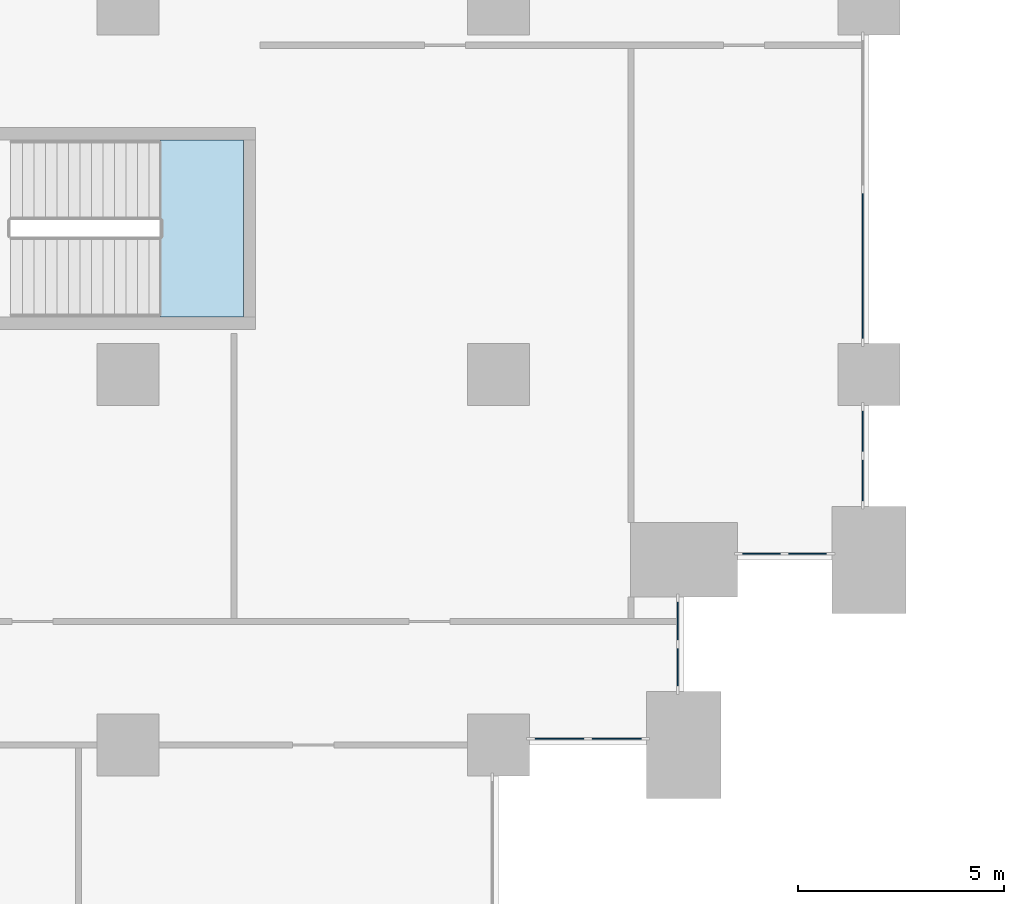
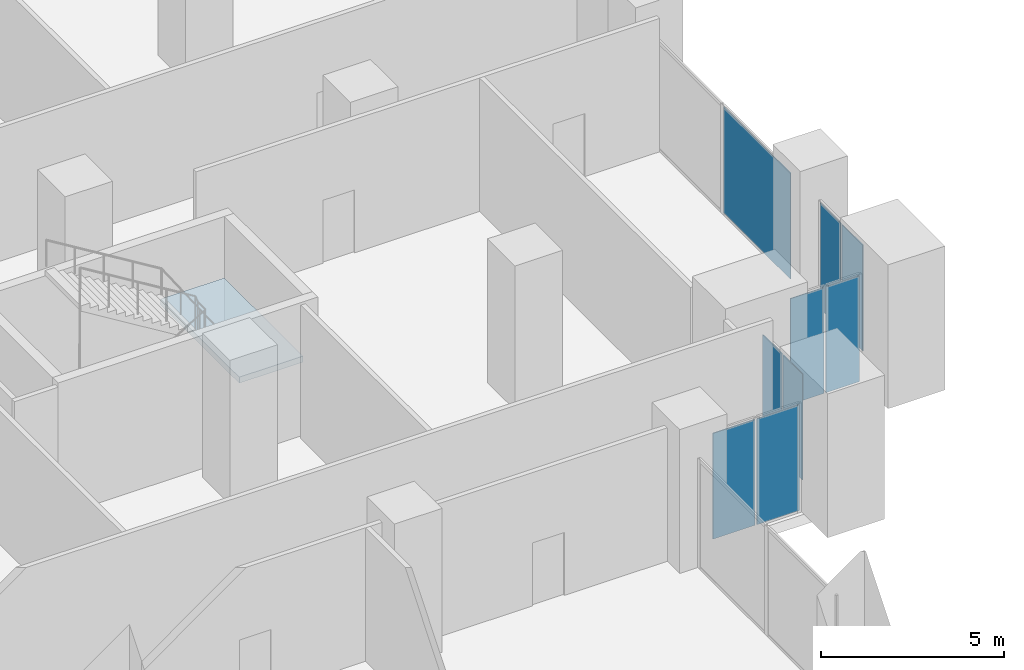
# One storey, part 20 of 49: 9 plates, 1 slab, 6 elements without a shape of their own.
"""IFC4 building model written with IfcOpenShell, lengths in metres."""

import ifcopenshell
import ifcopenshell.guid

model = None  # the IFC model being written
_history = None  # IfcOwnerHistory: only IFC2X3 demands one
_inside = {}  # id of a spatial element -> (the spatial element, [elements in it])
_under = {}  # id of a project, library or spatial element -> (it, [spatial elements below it])
_declared = {}  # id of a project -> (the project, [libraries it declares])
_typed = {}  # id of a type object -> (the type object, [elements of that type])
_made_of = {}  # id of a material, layer set ... -> (it, [elements and type objects made of it])


def new_model(schema):
    """Start an empty IFC model of exactly this schema.

    Asked for "IFC4X3", IfcOpenShell would pick the latest addendum, in which some entities
    have other attributes; the version numbers below select the first issue.
    IFC2X3 requires an IfcOwnerHistory on every rooted entity: one is made here for all.
    """
    global model, _history
    if schema == "IFC4X3":
        model = ifcopenshell.file(schema_version=(4, 3, 0, 0))
    else:
        model = ifcopenshell.file(schema=schema)
    _inside.clear()
    _under.clear()
    _declared.clear()
    _typed.clear()
    _made_of.clear()
    _history = None
    if model.schema == "IFC2X3":
        org = make("IfcOrganization", Name="unknown")
        user = make(
            "IfcPersonAndOrganization",
            ThePerson=make("IfcPerson", FamilyName="unknown"),
            TheOrganization=org,
        )
        app = make(
            "IfcApplication",
            ApplicationDeveloper=org,
            Version="unknown",
            ApplicationFullName="unknown",
            ApplicationIdentifier="unknown",
        )
        _history = make(
            "IfcOwnerHistory",
            OwningUser=user,
            OwningApplication=app,
            ChangeAction="ADDED",
            CreationDate=0,
        )
    return model


def make(cls, **values):
    """One entity of the class cls with the attributes given. An attribute that is None is left unset."""
    return model.create_entity(
        cls, **{name: value for name, value in values.items() if value is not None}
    )


def rooted(cls, **values):
    """An entity with a GlobalId (a new one), such as an element, a storey or a relation."""
    return make(cls, GlobalId=ifcopenshell.guid.new(), OwnerHistory=_history, **values)


def si_unit(unit_type, name, prefix=None):
    """IfcSIUnit, for example si_unit("LENGTHUNIT", "METRE", prefix="MILLI")."""
    return make("IfcSIUnit", UnitType=unit_type, Prefix=prefix, Name=name)


def assignment(units):
    """IfcUnitAssignment: the units of a project."""
    return None if units is None else make("IfcUnitAssignment", Units=units)


def point(xyz):
    """IfcCartesianPoint."""
    return None if xyz is None else make("IfcCartesianPoint", Coordinates=xyz)


def direction(xyz):
    """IfcDirection."""
    return None if xyz is None else make("IfcDirection", DirectionRatios=xyz)


def frame(location, z_axis=None, x_axis=None):
    """IfcAxis2Placement3D, a coordinate frame: its origin and axes. An axis left out is left unset."""
    return make(
        "IfcAxis2Placement3D",
        Location=point(location),
        Axis=direction(z_axis),
        RefDirection=direction(x_axis),
    )


def frame_2d(location, x_axis=None):
    """IfcAxis2Placement2D, a coordinate frame in the plane: its origin and x axis."""
    return make(
        "IfcAxis2Placement2D", Location=point(location), RefDirection=direction(x_axis)
    )


def origin():
    """The frame at (0, 0, 0) with its axes left unset."""
    return frame((0.0, 0.0, 0.0))


def origin_2d():
    """The frame at (0, 0) in the plane with its x axis left unset."""
    return frame_2d((0.0, 0.0))


def place(relative_to, where):
    """IfcLocalPlacement: puts the frame where relative to a parent placement (None: the world)."""
    return make(
        "IfcLocalPlacement", PlacementRelTo=relative_to, RelativePlacement=where
    )


def context(
    kind, dimensions, precision=None, world=None, true_north=None, identifier=None
):
    """IfcGeometricRepresentationContext, for example the 3D "Model" context."""
    return make(
        "IfcGeometricRepresentationContext",
        ContextIdentifier=identifier,
        ContextType=kind,
        CoordinateSpaceDimension=dimensions,
        Precision=precision,
        WorldCoordinateSystem=world,
        TrueNorth=true_north,
    )


def subcontext(parent, identifier, kind, view, scale=None):
    """IfcGeometricRepresentationSubContext, for example "Body" below "Model"."""
    return make(
        "IfcGeometricRepresentationSubContext",
        ContextIdentifier=identifier,
        ContextType=kind,
        ParentContext=parent,
        TargetScale=scale,
        TargetView=view,
    )


def project(units=None, contexts=None):
    """IfcProject with its units and contexts."""
    return rooted(
        "IfcProject",
        Name="project",
        RepresentationContexts=contexts,
        UnitsInContext=assignment(units),
    )


def spatial(cls, under=None, at=None, **own):
    """A site, building, storey or space (cls), placed at a placement, below another one or the project."""
    s = rooted(cls, ObjectPlacement=at, **own)
    if under is not None:
        _under.setdefault(under.id(), (under, []))[1].append(s)
    return s


def polyline(points):
    """IfcPolyline through the points."""
    return make("IfcPolyline", Points=[point(p) for p in points])


def profile(cls, at=None, kind="AREA", **sizes):
    """A parametric profile (cls). Its sizes go by their IFC names, for example OverallWidth=200.0."""
    return make(cls, ProfileType=kind, Position=at, **sizes)


def rectangle(**sizes):
    """IfcRectangleProfileDef."""
    return profile("IfcRectangleProfileDef", **sizes)


def outline(outer, holes=None, kind="AREA"):
    """IfcArbitraryClosedProfileDef: a profile drawn as a closed curve; with holes, ...WithVoids."""
    if holes is None:
        return make("IfcArbitraryClosedProfileDef", ProfileType=kind, OuterCurve=outer)
    return make(
        "IfcArbitraryProfileDefWithVoids",
        ProfileType=kind,
        OuterCurve=outer,
        InnerCurves=holes,
    )


def extrude(swept, where, along, depth):
    """IfcExtrudedAreaSolid: the profile swept, set in the frame where, extruded along a direction by depth."""
    return make(
        "IfcExtrudedAreaSolid",
        SweptArea=swept,
        Position=where,
        ExtrudedDirection=direction(along),
        Depth=depth,
    )


def shape(context_of_items, identifier, shape_type, items):
    """IfcShapeRepresentation: the items that make up one representation, for example the "Body"."""
    return make(
        "IfcShapeRepresentation",
        ContextOfItems=context_of_items,
        RepresentationIdentifier=identifier,
        RepresentationType=shape_type,
        Items=items,
    )


def material(Name=None, Category=None):
    """IfcMaterial."""
    return make("IfcMaterial", Name=Name, Category=Category)


def layer(
    of_material, thickness, ventilated=None, Name=None, Category=None, Priority=None
):
    """IfcMaterialLayer: one layer of a wall or slab, of a material (None: an air gap)."""
    return make(
        "IfcMaterialLayer",
        Material=of_material,
        LayerThickness=thickness,
        IsVentilated=ventilated,
        Name=Name,
        Category=Category,
        Priority=Priority,
    )


def layer_set(layers, Name=None):
    """IfcMaterialLayerSet."""
    return make("IfcMaterialLayerSet", MaterialLayers=layers, LayerSetName=Name)


def made_of(thing, what):
    """Note that an element or type object is made of a material, layer set ...; save() writes the relation."""
    if what is not None:
        _made_of.setdefault(what.id(), (what, []))[1].append(thing)
    return thing


def type_object(cls, material=None, **own):
    """A type object (cls), such as IfcWallType, which elements share."""
    return made_of(rooted(cls, **own), material)


def element(
    cls,
    number,
    at=None,
    inside=None,
    cuts=None,
    type_object=None,
    material=None,
    context=None,
    identifier="Body",
    shape_type=None,
    held_by="IfcProductDefinitionShape",
    body=None,
    shapes=None,
    **own,
):
    """One element of the class cls, such as IfcWall. Its Tag is "e" and its number.

    at: its placement. inside: the storey or other place that contains it. cuts: it is an
    opening in that element (IfcRelVoidsElement). A single representation is given by context,
    identifier, shape_type and body (its items); several are given by shapes. held_by: the class
    of the entity that holds the representations. save() writes the other relations.
    """
    e = rooted(cls, Tag="e%d" % number, ObjectPlacement=at, **own)
    if body is not None:
        shapes = [shape(context, identifier, shape_type, body)]
    if shapes is not None:
        e.Representation = make(held_by, Representations=shapes)
    if inside is not None:
        _inside.setdefault(inside.id(), (inside, []))[1].append(e)
    if cuts is not None:
        rooted(
            "IfcRelVoidsElement", RelatingBuildingElement=cuts, RelatedOpeningElement=e
        )
    if type_object is not None:
        _typed.setdefault(type_object.id(), (type_object, []))[1].append(e)
    return made_of(e, material)


def aggregate(whole, parts):
    """IfcRelAggregates: a whole, such as a stair, and the parts it consists of."""
    return rooted("IfcRelAggregates", RelatingObject=whole, RelatedObjects=parts)


def save(model, path):
    """Write the relations noted so far, then the file.

    IfcRelAggregates (storeys below a building ...), IfcRelContainedInSpatialStructure (elements
    in a storey), IfcRelDefinesByType, IfcRelAssociatesMaterial and IfcRelDeclares: one each for
    every whole, place, type object, material and project.
    """
    for whole, parts in _under.values():
        aggregate(whole, parts)
    for where, things in _inside.values():
        rooted(
            "IfcRelContainedInSpatialStructure",
            RelatedElements=things,
            RelatingStructure=where,
        )
    for kind, things in _typed.values():
        rooted("IfcRelDefinesByType", RelatedObjects=things, RelatingType=kind)
    for what, things in _made_of.values():
        rooted("IfcRelAssociatesMaterial", RelatedObjects=things, RelatingMaterial=what)
    for by, libraries in _declared.values():
        rooted("IfcRelDeclares", RelatingContext=by, RelatedDefinitions=libraries)
    model.write(path)


model = new_model("IFC4")

# Units and contexts
model_context = context("Model", 3, precision=1e-05, world=origin(), true_north=direction((0.0, 1.0)))
body_context = subcontext(model_context, "Body", "Model", "MODEL_VIEW")
ifc_project = project(units=[si_unit("LENGTHUNIT", "METRE"), si_unit("AREAUNIT", "SQUARE_METRE"), si_unit("VOLUMEUNIT", "CUBIC_METRE"), si_unit("PLANEANGLEUNIT", "RADIAN"), si_unit("MASSUNIT", "GRAM", prefix="KILO")], contexts=[model_context])

# Site, building, storey
site_placement = place(None, origin())
site = spatial("IfcSite", under=ifc_project, at=site_placement, CompositionType="ELEMENT")
building_placement = place(site_placement, origin())
building = spatial("IfcBuilding", under=site, at=building_placement, Name="Hunhe Ridgeline Campus", CompositionType="ELEMENT")
storey_placement = place(building_placement, frame((0.0, 0.0, 21.60009765625)))
storey = spatial("IfcBuildingStorey", under=building, at=storey_placement, Name="L04", CompositionType="ELEMENT", Elevation=21.60009765625)

# Curtain wall, plates
ifc_material_1 = material(Name="Aluminium and glass", Category="aluminium")
curtain_wall_type = type_object("IfcCurtainWallType", Name="Podium curtain wall CW-2", PredefinedType="NOTDEFINED", material=ifc_material_1)
curtain_wall_1_placement = place(storey_placement, origin())
curtain_wall_1 = element("IfcCurtainWall", 1, at=curtain_wall_1_placement, inside=storey, type_object=curtain_wall_type, Name="L04 podium curtain wall 1", PredefinedType="NOTDEFINED")
ifc_material_2 = material(Name="Clear glass", Category="glass")
ifc_layer_1 = layer(ifc_material_2, 0.028076171875)
ifc_layer_set_1 = layer_set([ifc_layer_1], Name="CW-2 clear glass panel 28")
plate_type = type_object("IfcPlateType", Name="CW-2 clear glass panel 28", PredefinedType="CURTAIN_PANEL", material=ifc_layer_set_1)
plate_1_placement = place(storey_placement, frame((91.4775390625, 54.14990234375, 0.06005859375), z_axis=(0.0, 0.0, 1.0), x_axis=(1.0, 0.0, 0.0)))
plate_1 = element("IfcPlate", 2, at=plate_1_placement, type_object=plate_type, Name="CW2 panel 1.1", PredefinedType="CURTAIN_PANEL", context=body_context, shape_type="SweptSolid", body=[
    extrude(rectangle(XDim=1.3349609375, YDim=0.028076171875, at=origin_2d()), origin(), (0.0, 0.0, 1.0), 3.530029296875),
])
plate_2_placement = place(storey_placement, frame((92.87255859375, 54.14990234375, 0.06005859375), z_axis=(0.0, 0.0, 1.0), x_axis=(1.0, 0.0, 0.0)))
plate_2 = element("IfcPlate", 3, at=plate_2_placement, type_object=plate_type, Name="CW2 panel 2.1", PredefinedType="CURTAIN_PANEL", context=body_context, shape_type="SweptSolid", body=[
    extrude(rectangle(XDim=1.3349609375, YDim=0.028076171875, at=origin_2d()), origin(), (0.0, 0.0, 1.0), 3.530029296875),
])
aggregate(curtain_wall_1, [plate_1, plate_2])

curtain_wall_2_placement = place(storey_placement, origin())
curtain_wall_2 = element("IfcCurtainWall", 4, at=curtain_wall_2_placement, inside=storey, type_object=curtain_wall_type, Name="L04 podium curtain wall 2", PredefinedType="NOTDEFINED")
plate_3_placement = place(storey_placement, frame((94.35009765625, 55.889892578125, 0.06005859375), z_axis=(0.0, 0.0, 1.0), x_axis=(0.0, 1.0, 0.0)))
plate_3 = element("IfcPlate", 5, at=plate_3_placement, type_object=plate_type, Name="CW2 panel 1.1", PredefinedType="CURTAIN_PANEL", context=body_context, shape_type="SweptSolid", body=[
    extrude(rectangle(XDim=1.06005859375, YDim=0.028076171875, at=origin_2d()), origin(), (0.0, 0.0, 1.0), 3.530029296875),
])
plate_4_placement = place(storey_placement, frame((94.35009765625, 57.010009765625, 0.06005859375), z_axis=(0.0, 0.0, 1.0), x_axis=(0.0, 1.0, 0.0)))
plate_4 = element("IfcPlate", 6, at=plate_4_placement, type_object=plate_type, Name="CW2 panel 2.1", PredefinedType="CURTAIN_PANEL", context=body_context, shape_type="SweptSolid", body=[
    extrude(rectangle(XDim=1.06005859375, YDim=0.028076171875, at=origin_2d()), origin(), (0.0, 0.0, 1.0), 3.530029296875),
])
aggregate(curtain_wall_2, [plate_3, plate_4])

curtain_wall_3_placement = place(storey_placement, origin())
curtain_wall_3 = element("IfcCurtainWall", 7, at=curtain_wall_3_placement, inside=storey, type_object=curtain_wall_type, Name="L04 podium curtain wall 3", PredefinedType="NOTDEFINED")
plate_5_placement = place(storey_placement, frame((96.389892578125, 58.64990234375, 0.06005859375), z_axis=(0.0, 0.0, 1.0), x_axis=(1.0, 0.0, 0.0)))
plate_5 = element("IfcPlate", 8, at=plate_5_placement, type_object=plate_type, Name="CW2 panel 1.1", PredefinedType="CURTAIN_PANEL", context=body_context, shape_type="SweptSolid", body=[
    extrude(rectangle(XDim=1.06005859375, YDim=0.028076171875, at=origin_2d()), origin(), (0.0, 0.0, 1.0), 3.530029296875),
])
plate_6_placement = place(storey_placement, frame((97.510009765625, 58.64990234375, 0.06005859375), z_axis=(0.0, 0.0, 1.0), x_axis=(1.0, 0.0, 0.0)))
plate_6 = element("IfcPlate", 9, at=plate_6_placement, type_object=plate_type, Name="CW2 panel 2.1", PredefinedType="CURTAIN_PANEL", context=body_context, shape_type="SweptSolid", body=[
    extrude(rectangle(XDim=1.06005859375, YDim=0.028076171875, at=origin_2d()), origin(), (0.0, 0.0, 1.0), 3.530029296875),
])
aggregate(curtain_wall_3, [plate_5, plate_6])

curtain_wall_4_placement = place(storey_placement, origin())
curtain_wall_4 = element("IfcCurtainWall", 10, at=curtain_wall_4_placement, inside=storey, type_object=curtain_wall_type, Name="L04 podium curtain wall 4", PredefinedType="NOTDEFINED")
plate_7_placement = place(storey_placement, frame((98.85009765625, 60.427490234375, 0.06005859375), z_axis=(0.0, 0.0, 1.0), x_axis=(0.0, 1.0, 0.0)))
plate_7 = element("IfcPlate", 11, at=plate_7_placement, type_object=plate_type, Name="CW2 panel 1.1", PredefinedType="CURTAIN_PANEL", context=body_context, shape_type="SweptSolid", body=[
    extrude(rectangle(XDim=1.135009765625, YDim=0.028076171875, at=origin_2d()), origin(), (0.0, 0.0, 1.0), 3.530029296875),
])
plate_8_placement = place(storey_placement, frame((98.85009765625, 61.62255859375, 0.06005859375), z_axis=(0.0, 0.0, 1.0), x_axis=(0.0, 1.0, 0.0)))
plate_8 = element("IfcPlate", 12, at=plate_8_placement, type_object=plate_type, Name="CW2 panel 2.1", PredefinedType="CURTAIN_PANEL", context=body_context, shape_type="SweptSolid", body=[
    extrude(rectangle(XDim=1.135009765625, YDim=0.028076171875, at=origin_2d()), origin(), (0.0, 0.0, 1.0), 3.530029296875),
])
aggregate(curtain_wall_4, [plate_7, plate_8])

# Curtain wall, plate
curtain_wall_5_placement = place(storey_placement, origin())
curtain_wall_5 = element("IfcCurtainWall", 13, at=curtain_wall_5_placement, inside=storey, type_object=curtain_wall_type, Name="L04 podium curtain wall 5", PredefinedType="NOTDEFINED")
plate_9_placement = place(storey_placement, frame((98.85009765625, 65.639892578125, 0.06005859375), z_axis=(0.0, 0.0, 1.0), x_axis=(0.0, 1.0, 0.0)))
plate_9 = element("IfcPlate", 14, at=plate_9_placement, type_object=plate_type, Name="CW2 panel 1.1", PredefinedType="CURTAIN_PANEL", context=body_context, shape_type="SweptSolid", body=[
    extrude(rectangle(XDim=3.659912109375, YDim=0.028076171875, at=origin_2d()), origin(), (0.0, 0.0, 1.0), 3.530029296875),
])
aggregate(curtain_wall_5, [plate_9])

# Stair, slab
ifc_material_3 = material(Name="Concrete C40", Category="concrete")
stair_type = type_object("IfcStairType", Name="Reinforced concrete dog-leg stair 1950 Concrete C40", PredefinedType="HALF_TURN_STAIR", material=ifc_material_3)
stair_placement = place(storey_placement, origin())
stair = element("IfcStair", 15, at=stair_placement, inside=storey, type_object=stair_type, Name="L04 E5", PredefinedType="HALF_TURN_STAIR")
ifc_layer_2 = layer(ifc_material_3, 0.199951171875)
ifc_layer_set_2 = layer_set([ifc_layer_2], Name="Reinforced concrete stair landing 200 Concrete C40")
slab_type = type_object("IfcSlabType", Name="Reinforced concrete stair landing 200 Concrete C40", PredefinedType="LANDING", material=ifc_layer_set_2)
slab_placement = place(storey_placement, frame((0.0, 0.0, 2.199951171875)))
slab = element("IfcSlab", 16, at=slab_placement, type_object=slab_type, Name="ST10 landing 1", PredefinedType="LANDING", context=body_context, shape_type="SweptSolid", body=[
    extrude(outline(polyline([(81.7900390625, 64.39990234375), (83.800048828125, 64.39990234375), (83.800048828125, 68.699951171875), (81.7900390625, 68.699951171875), (81.7900390625, 64.39990234375)])), origin(), (0.0, 0.0, 1.0), 0.199951171875),
])
aggregate(stair, [slab])

save(model, "model.ifc")
